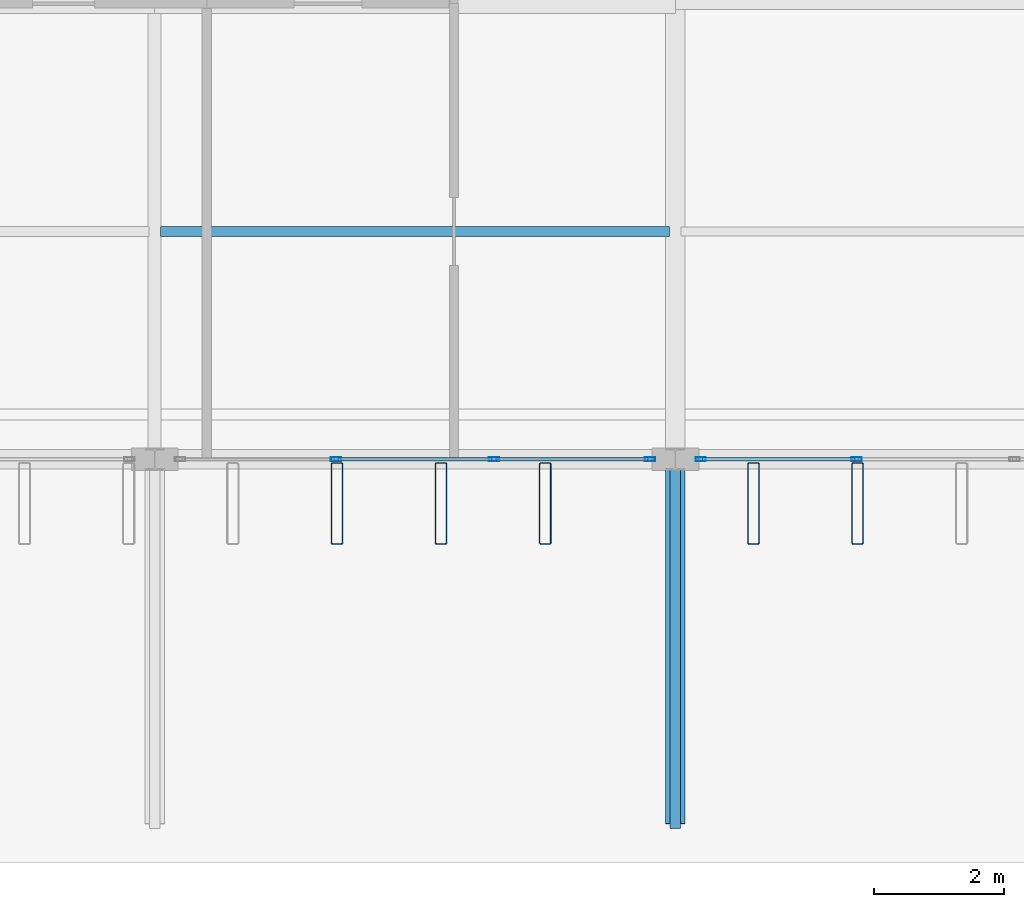
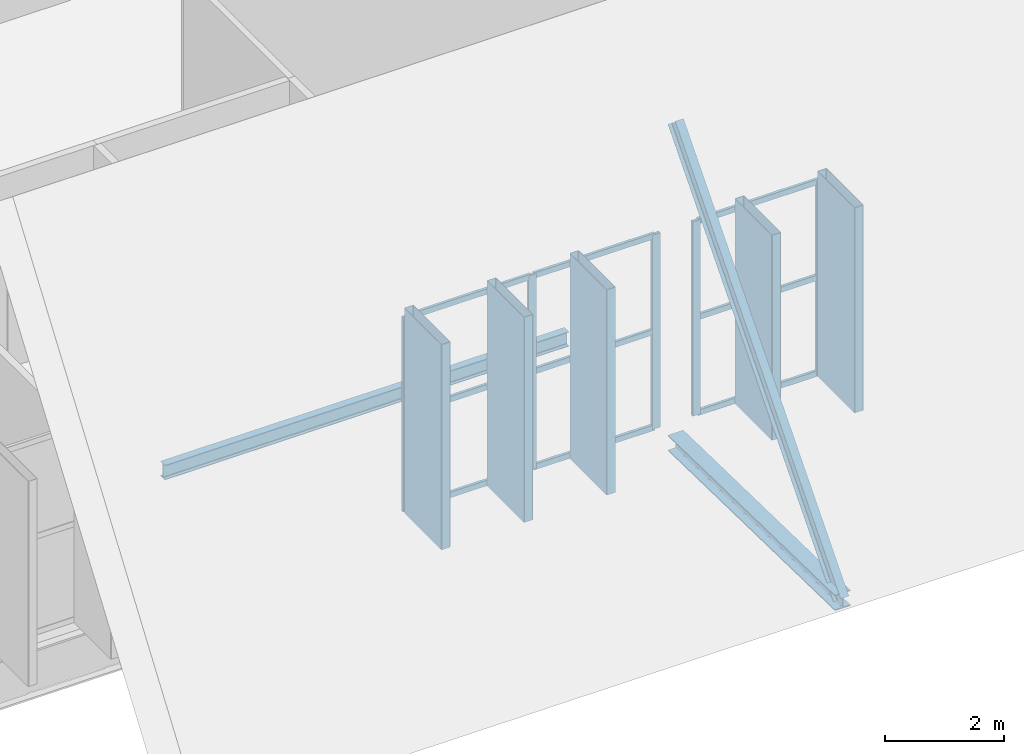
# One storey, part 29 of 93: 20 members, 2 beams, 2 elements without a shape of their own.
"""IFC4 building model written with IfcOpenShell, lengths in metres."""

from ifc_helpers import new_model, si_unit, direction, frame, origin, origin_2d, place, context, subcontext, project, spatial, hollow_rectangle, i_section, extrude, material, layer, layer_set, material_profile, profile_set, type_object, element, aggregate, save


model = new_model("IFC4")

# Units and contexts
model_context = context("Model", 3, precision=1e-05, world=origin(), true_north=direction((0.0, 1.0)))
body_context = subcontext(model_context, "Body", "Model", "MODEL_VIEW")
ifc_project = project(units=[si_unit("LENGTHUNIT", "METRE"), si_unit("AREAUNIT", "SQUARE_METRE"), si_unit("VOLUMEUNIT", "CUBIC_METRE"), si_unit("PLANEANGLEUNIT", "RADIAN"), si_unit("MASSUNIT", "GRAM", prefix="KILO")], contexts=[model_context])

# Site, building, storey
site_placement = place(None, origin())
site = spatial("IfcSite", under=ifc_project, at=site_placement, CompositionType="ELEMENT")
building_placement = place(site_placement, origin())
building = spatial("IfcBuilding", under=site, at=building_placement, Name="Vekula Escarpment Museum", CompositionType="ELEMENT")
storey_placement = place(building_placement, frame((0.0, 0.0, 22.199951171875)))
storey = spatial("IfcBuildingStorey", under=building, at=storey_placement, Name="L05", CompositionType="ELEMENT", Elevation=22.199951171875)

# Beams
ifc_material_1 = material(Name="Steel S355", Category="steel")
ifc_material_profile_1 = material_profile(ifc_material_1, i_section(OverallWidth=0.300048828125, OverallDepth=0.320068359375, WebThickness=0.011474609375, FlangeThickness=0.0205078125, FilletRadius=0.027099609375, at=origin_2d()), Name="HEB 320")
ifc_profile_set_1 = profile_set([ifc_material_profile_1], Name="Steel S355")
beam_type_1 = type_object("IfcBeamType", Name="BM-EAVE-OUT", PredefinedType="BEAM", material=ifc_profile_set_1)
beam_1_placement = place(storey_placement, frame((86.0, 45.60009765625, -0.39990234375), z_axis=(0.0, -0.999770980386, 0.021400625659), x_axis=(1.0, 0.0, 0.0)))
element("IfcBeam", 1, at=beam_1_placement, inside=storey, type_object=beam_type_1, Name="Great Hall South Eave Outrigger 86", PredefinedType="BEAM", context=body_context, shape_type="SweptSolid", body=[
    extrude(i_section(OverallWidth=0.300048828125, OverallDepth=0.320068359375, WebThickness=0.011474609375, FlangeThickness=0.0205078125, FilletRadius=0.027099609375, at=origin_2d()), origin(), (0.0, 0.0, 1.0), 5.601318359375),
])
ifc_material_2 = material(Name="Steel S355", Category="steel")
ifc_material_profile_2 = material_profile(ifc_material_2, i_section(OverallWidth=0.14990234375, OverallDepth=0.300048828125, WebThickness=0.007080078125, FlangeThickness=0.0107421875, FilletRadius=0.014892578125, at=origin_2d()), Name="IPE 300")
ifc_profile_set_2 = profile_set([ifc_material_profile_2], Name="Steel S355")
beam_type_2 = type_object("IfcBeamType", Name="BM-JST-IPE300", PredefinedType="JOIST", material=ifc_profile_set_2)
beam_2_placement = place(storey_placement, frame((78.090087890625, 49.10009765625, -0.369873046875), z_axis=(1.0, 0.0, 0.0), x_axis=(0.0, 1.0, 0.0)))
element("IfcBeam", 2, at=beam_2_placement, inside=storey, type_object=beam_type_2, Name="Secondary Joist L05 1347", PredefinedType="JOIST", context=body_context, shape_type="SweptSolid", body=[
    extrude(i_section(OverallWidth=0.14990234375, OverallDepth=0.300048828125, WebThickness=0.007080078125, FlangeThickness=0.0107421875, FilletRadius=0.014892578125, at=origin_2d()), origin(), (0.0, 0.0, 1.0), 7.81982421875),
])

# Curtain wall, members
ifc_material_3 = material(Name="Aluminium thermally broken framing", Category="aluminium")
ifc_layer_1 = layer(ifc_material_3, 0.199951171875)
ifc_layer_set_1 = layer_set([ifc_layer_1], Name="Aluminium thermally broken framing")
curtain_wall_type_1 = type_object("IfcCurtainWallType", Name="CW-SYS-04", PredefinedType="NOTDEFINED", material=ifc_layer_set_1)
curtain_wall_1_placement = place(storey_placement, origin())
curtain_wall_1 = element("IfcCurtainWall", 3, at=curtain_wall_1_placement, inside=storey, type_object=curtain_wall_type_1, Name="Curtain Wall CW-L05-164", PredefinedType="NOTDEFINED")
ifc_material_4 = material(Name="Aluminium anodized mullion", Category="aluminium")
ifc_material_profile_3 = material_profile(ifc_material_4, hollow_rectangle(XDim=0.06005859375, YDim=0.159912109375, WallThickness=0.00390625, InnerFilletRadius=0.00390625, OuterFilletRadius=0.008056640625, at=origin_2d()), Name="ALU 160x60x4")
ifc_profile_set_3 = profile_set([ifc_material_profile_3], Name="Aluminium anodized mullion")
member_type_1 = type_object("IfcMemberType", Name="CW-MUL-160", PredefinedType="MULLION", material=ifc_profile_set_3)
member_1_placement = place(storey_placement, frame((80.78662109375, 45.60009765625, 0.0), z_axis=(0.0, 0.0, 1.0), x_axis=(0.0, 1.0, 0.0)))
member_1 = element("IfcMember", 4, at=member_1_placement, type_object=member_type_1, Name="CW-04 mullion 2", PredefinedType="MULLION", context=body_context, shape_type="SweptSolid", body=[
    extrude(hollow_rectangle(XDim=0.06005859375, YDim=0.159912109375, WallThickness=0.00390625, InnerFilletRadius=0.00390625, OuterFilletRadius=0.008056640625, at=origin_2d()), origin(), (0.0, 0.0, 1.0), 3.97998046875),
])
member_2_placement = place(storey_placement, frame((83.21337890625, 45.60009765625, 0.0), z_axis=(0.0, 0.0, 1.0), x_axis=(0.0, 1.0, 0.0)))
member_2 = element("IfcMember", 5, at=member_2_placement, type_object=member_type_1, Name="CW-04 mullion 3", PredefinedType="MULLION", context=body_context, shape_type="SweptSolid", body=[
    extrude(hollow_rectangle(XDim=0.06005859375, YDim=0.159912109375, WallThickness=0.00390625, InnerFilletRadius=0.00390625, OuterFilletRadius=0.008056640625, at=origin_2d()), origin(), (0.0, 0.0, 1.0), 3.97998046875),
])
member_3_placement = place(storey_placement, frame((85.610107421875, 45.60009765625, 0.0), z_axis=(0.0, 0.0, 1.0), x_axis=(0.0, 1.0, 0.0)))
member_3 = element("IfcMember", 6, at=member_3_placement, type_object=member_type_1, Name="CW-04 mullion 4", PredefinedType="MULLION", context=body_context, shape_type="SweptSolid", body=[
    extrude(hollow_rectangle(XDim=0.06005859375, YDim=0.159912109375, WallThickness=0.00390625, InnerFilletRadius=0.00390625, OuterFilletRadius=0.008056640625, at=origin_2d()), origin(), (0.0, 0.0, 1.0), 3.97998046875),
])

ifc_material_5 = material(Name="Aluminium thermally broken framing", Category="aluminium")
ifc_layer_2 = layer(ifc_material_5, 0.159912109375)
ifc_layer_set_2 = layer_set([ifc_layer_2], Name="Aluminium thermally broken framing")
curtain_wall_type_2 = type_object("IfcCurtainWallType", Name="CW-SYS-05", PredefinedType="NOTDEFINED", material=ifc_layer_set_2)
curtain_wall_2_placement = place(storey_placement, origin())
curtain_wall_2 = element("IfcCurtainWall", 7, at=curtain_wall_2_placement, inside=storey, type_object=curtain_wall_type_2, Name="Curtain Wall CW-L05-165", PredefinedType="NOTDEFINED")
member_4_placement = place(storey_placement, frame((86.389892578125, 45.60009765625, 0.0), z_axis=(0.0, 0.0, 1.0), x_axis=(0.0, 1.0, 0.0)))
member_4 = element("IfcMember", 8, at=member_4_placement, type_object=member_type_1, Name="CW-05 mullion 1", PredefinedType="MULLION", context=body_context, shape_type="SweptSolid", body=[
    extrude(hollow_rectangle(XDim=0.06005859375, YDim=0.159912109375, WallThickness=0.00390625, InnerFilletRadius=0.00390625, OuterFilletRadius=0.008056640625, at=origin_2d()), origin(), (0.0, 0.0, 1.0), 3.97998046875),
])
member_5_placement = place(storey_placement, frame((88.78662109375, 45.60009765625, 0.0), z_axis=(0.0, 0.0, 1.0), x_axis=(0.0, 1.0, 0.0)))
member_5 = element("IfcMember", 9, at=member_5_placement, type_object=member_type_1, Name="CW-05 mullion 2", PredefinedType="MULLION", context=body_context, shape_type="SweptSolid", body=[
    extrude(hollow_rectangle(XDim=0.06005859375, YDim=0.159912109375, WallThickness=0.00390625, InnerFilletRadius=0.00390625, OuterFilletRadius=0.008056640625, at=origin_2d()), origin(), (0.0, 0.0, 1.0), 3.97998046875),
])

# Member
ifc_material_6 = material(Name="Aluminium anodized transom", Category="aluminium")
ifc_material_profile_4 = material_profile(ifc_material_6, hollow_rectangle(XDim=0.06005859375, YDim=0.1201171875, WallThickness=0.00390625, InnerFilletRadius=0.00390625, OuterFilletRadius=0.008056640625, at=origin_2d()), Name="ALU 120x60x4")
ifc_profile_set_4 = profile_set([ifc_material_profile_4], Name="Aluminium anodized transom")
member_type_2 = type_object("IfcMemberType", Name="CW-TRN-120", PredefinedType="USERDEFINED", material=ifc_profile_set_4)
member_6_placement = place(storey_placement, frame((80.816650390625, 45.60009765625, 0.030029296875), z_axis=(1.0, 0.0, 0.0), x_axis=(0.0, 1.0, 0.0)))
member_6 = element("IfcMember", 10, at=member_6_placement, type_object=member_type_2, Name="CW-04 transom 2.1", ObjectType="TRANSOM", PredefinedType="USERDEFINED", context=body_context, shape_type="SweptSolid", body=[
    extrude(hollow_rectangle(XDim=0.06005859375, YDim=0.1201171875, WallThickness=0.00390625, InnerFilletRadius=0.00390625, OuterFilletRadius=0.008056640625, at=origin_2d()), origin(), (0.0, 0.0, 1.0), 2.36669921875),
])

member_7_placement = place(storey_placement, frame((80.816650390625, 45.60009765625, 1.989990234375), z_axis=(1.0, 0.0, 0.0), x_axis=(0.0, 1.0, 0.0)))
member_7 = element("IfcMember", 11, at=member_7_placement, type_object=member_type_2, Name="CW-04 transom 2.2", ObjectType="TRANSOM", PredefinedType="USERDEFINED", context=body_context, shape_type="SweptSolid", body=[
    extrude(hollow_rectangle(XDim=0.06005859375, YDim=0.1201171875, WallThickness=0.00390625, InnerFilletRadius=0.00390625, OuterFilletRadius=0.008056640625, at=origin_2d()), origin(), (0.0, 0.0, 1.0), 2.36669921875),
])

member_8_placement = place(storey_placement, frame((80.816650390625, 45.60009765625, 3.949951171875), z_axis=(1.0, 0.0, 0.0), x_axis=(0.0, 1.0, 0.0)))
member_8 = element("IfcMember", 12, at=member_8_placement, type_object=member_type_2, Name="CW-04 transom 2.3", ObjectType="TRANSOM", PredefinedType="USERDEFINED", context=body_context, shape_type="SweptSolid", body=[
    extrude(hollow_rectangle(XDim=0.06005859375, YDim=0.1201171875, WallThickness=0.00390625, InnerFilletRadius=0.00390625, OuterFilletRadius=0.008056640625, at=origin_2d()), origin(), (0.0, 0.0, 1.0), 2.36669921875),
])

member_9_placement = place(storey_placement, frame((83.243408203125, 45.60009765625, 0.030029296875), z_axis=(1.0, 0.0, 0.0), x_axis=(0.0, 1.0, 0.0)))
member_9 = element("IfcMember", 13, at=member_9_placement, type_object=member_type_2, Name="CW-04 transom 3.1", ObjectType="TRANSOM", PredefinedType="USERDEFINED", context=body_context, shape_type="SweptSolid", body=[
    extrude(hollow_rectangle(XDim=0.06005859375, YDim=0.1201171875, WallThickness=0.00390625, InnerFilletRadius=0.00390625, OuterFilletRadius=0.008056640625, at=origin_2d()), origin(), (0.0, 0.0, 1.0), 2.336669921875),
])

member_10_placement = place(storey_placement, frame((83.243408203125, 45.60009765625, 1.989990234375), z_axis=(1.0, 0.0, 0.0), x_axis=(0.0, 1.0, 0.0)))
member_10 = element("IfcMember", 14, at=member_10_placement, type_object=member_type_2, Name="CW-04 transom 3.2", ObjectType="TRANSOM", PredefinedType="USERDEFINED", context=body_context, shape_type="SweptSolid", body=[
    extrude(hollow_rectangle(XDim=0.06005859375, YDim=0.1201171875, WallThickness=0.00390625, InnerFilletRadius=0.00390625, OuterFilletRadius=0.008056640625, at=origin_2d()), origin(), (0.0, 0.0, 1.0), 2.336669921875),
])

member_11_placement = place(storey_placement, frame((83.243408203125, 45.60009765625, 3.949951171875), z_axis=(1.0, 0.0, 0.0), x_axis=(0.0, 1.0, 0.0)))
member_11 = element("IfcMember", 15, at=member_11_placement, type_object=member_type_2, Name="CW-04 transom 3.3", ObjectType="TRANSOM", PredefinedType="USERDEFINED", context=body_context, shape_type="SweptSolid", body=[
    extrude(hollow_rectangle(XDim=0.06005859375, YDim=0.1201171875, WallThickness=0.00390625, InnerFilletRadius=0.00390625, OuterFilletRadius=0.008056640625, at=origin_2d()), origin(), (0.0, 0.0, 1.0), 2.336669921875),
])

aggregate(curtain_wall_1, [member_1, member_2, member_3, member_6, member_7, member_8, member_9, member_10, member_11])

member_12_placement = place(storey_placement, frame((86.419921875, 45.60009765625, 0.030029296875), z_axis=(1.0, 0.0, 0.0), x_axis=(0.0, 1.0, 0.0)))
member_12 = element("IfcMember", 16, at=member_12_placement, type_object=member_type_2, Name="CW-05 transom 1.1", ObjectType="TRANSOM", PredefinedType="USERDEFINED", context=body_context, shape_type="SweptSolid", body=[
    extrude(hollow_rectangle(XDim=0.06005859375, YDim=0.1201171875, WallThickness=0.00390625, InnerFilletRadius=0.00390625, OuterFilletRadius=0.008056640625, at=origin_2d()), origin(), (0.0, 0.0, 1.0), 2.336669921875),
])

member_13_placement = place(storey_placement, frame((86.419921875, 45.60009765625, 1.989990234375), z_axis=(1.0, 0.0, 0.0), x_axis=(0.0, 1.0, 0.0)))
member_13 = element("IfcMember", 17, at=member_13_placement, type_object=member_type_2, Name="CW-05 transom 1.2", ObjectType="TRANSOM", PredefinedType="USERDEFINED", context=body_context, shape_type="SweptSolid", body=[
    extrude(hollow_rectangle(XDim=0.06005859375, YDim=0.1201171875, WallThickness=0.00390625, InnerFilletRadius=0.00390625, OuterFilletRadius=0.008056640625, at=origin_2d()), origin(), (0.0, 0.0, 1.0), 2.336669921875),
])

member_14_placement = place(storey_placement, frame((86.419921875, 45.60009765625, 3.949951171875), z_axis=(1.0, 0.0, 0.0), x_axis=(0.0, 1.0, 0.0)))
member_14 = element("IfcMember", 18, at=member_14_placement, type_object=member_type_2, Name="CW-05 transom 1.3", ObjectType="TRANSOM", PredefinedType="USERDEFINED", context=body_context, shape_type="SweptSolid", body=[
    extrude(hollow_rectangle(XDim=0.06005859375, YDim=0.1201171875, WallThickness=0.00390625, InnerFilletRadius=0.00390625, OuterFilletRadius=0.008056640625, at=origin_2d()), origin(), (0.0, 0.0, 1.0), 2.336669921875),
])

aggregate(curtain_wall_2, [member_4, member_5, member_12, member_13, member_14])

# Members
ifc_material_7 = material(Name="Steel S355", Category="steel")
ifc_material_profile_5 = material_profile(ifc_material_7, i_section(OverallWidth=0.159912109375, OverallDepth=0.330078125, WebThickness=0.007568359375, FlangeThickness=0.011474609375, FilletRadius=0.01806640625, at=origin_2d()), Name="IPE 330")
ifc_profile_set_5 = profile_set([ifc_material_profile_5], Name="Steel S355")
member_type_3 = type_object("IfcMemberType", Name="MB-SKIRT-RAFTER", PredefinedType="CHORD", material=ifc_profile_set_5)
member_15_placement = place(storey_placement, frame((86.0, 40.050048828125, -0.280029296875), z_axis=(0.0, 0.654565426105, 0.756005359073), x_axis=(-1.0, 0.0, 0.0)))
element("IfcMember", 19, at=member_15_placement, inside=storey, type_object=member_type_3, Name="Truncated-Hip Rafter South 86", PredefinedType="CHORD", context=body_context, shape_type="SweptSolid", body=[
    extrude(i_section(OverallWidth=0.159912109375, OverallDepth=0.330078125, WebThickness=0.007568359375, FlangeThickness=0.011474609375, FilletRadius=0.01806640625, at=origin_2d()), origin(), (0.0, 0.0, 1.0), 8.47900390625),
])
ifc_material_8 = material(Name="Steel S355 weathered bronze solar fin", Category="steel")
ifc_material_profile_6 = material_profile(ifc_material_8, hollow_rectangle(XDim=0.179931640625, YDim=1.25, WallThickness=0.010009765625, InnerFilletRadius=0.010009765625, OuterFilletRadius=0.02001953125, at=origin_2d()), Name="RHS 1250x180x10")
ifc_profile_set_6 = profile_set([ifc_material_profile_6], Name="Steel S355 weathered bronze solar fin")
member_type_4 = type_object("IfcMemberType", Name="MB-SOLAR-FIN", PredefinedType="USERDEFINED", material=ifc_profile_set_6)
for number, where, z_axis, x_axis, name in (
    (20, (80.800048828125, 44.919921875, 0.0), (0.0, 0.0, 1.0), (1.0, 0.0, 0.0), "Great Hall Vertical Solar Fin 0035"),
    (21, (82.39990234375, 44.919921875, 0.0), (0.0, 0.0, 1.0), (1.0, 0.0, 0.0), "Great Hall Vertical Solar Fin 0040"),
    (22, (84.0, 44.919921875, 0.0), (0.0, 0.0, 1.0), (1.0, 0.0, 0.0), "Great Hall Vertical Solar Fin 0045"),
    (23, (87.199951171875, 44.919921875, 0.0), (0.0, 0.0, 1.0), (1.0, 0.0, 0.0), "Great Hall Vertical Solar Fin 0050"),
    (24, (88.800048828125, 44.919921875, 0.0), (0.0, 0.0, 1.0), (1.0, 0.0, 0.0), "Great Hall Vertical Solar Fin 0055"),
):
    element("IfcMember", number, at=place(storey_placement, frame(where, z_axis=z_axis, x_axis=x_axis)), inside=storey, type_object=member_type_4, Name=name, ObjectType="SOLAR FIN", PredefinedType="USERDEFINED", context=body_context, shape_type="SweptSolid", body=[
        extrude(hollow_rectangle(XDim=0.179931640625, YDim=1.25, WallThickness=0.010009765625, InnerFilletRadius=0.010009765625, OuterFilletRadius=0.02001953125, at=origin_2d()), origin(), (0.0, 0.0, 1.0), 4.199951171875),
    ])

save(model, "model.ifc")
